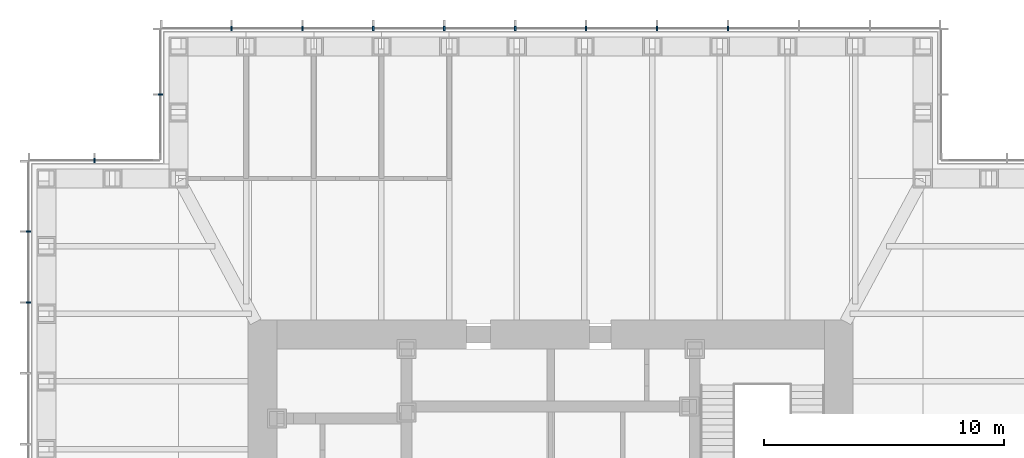
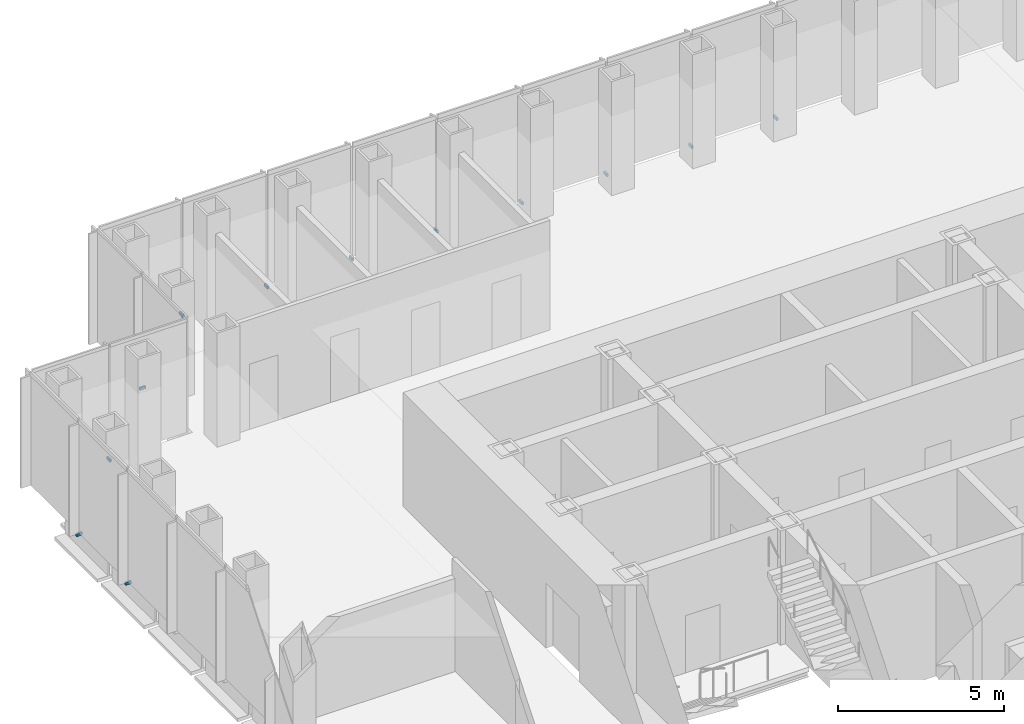
# One storey, part 14 of 16: 12 discrete accessories.
"""IFC4 building model written with IfcOpenShell, lengths in metres."""

from ifc_helpers import new_model, si_unit, direction, frame, origin, origin_2d, place, context, subcontext, project, spatial, rectangle, extrude, element, save


model = new_model("IFC4")

# Units and contexts
model_context = context("Model", 3, precision=1e-05, world=origin(), true_north=direction((0.0, 1.0)))
body_context = subcontext(model_context, "Body", "Model", "MODEL_VIEW")
ifc_project = project(units=[si_unit("LENGTHUNIT", "METRE"), si_unit("AREAUNIT", "SQUARE_METRE"), si_unit("VOLUMEUNIT", "CUBIC_METRE"), si_unit("PLANEANGLEUNIT", "RADIAN"), si_unit("MASSUNIT", "GRAM", prefix="KILO")], contexts=[model_context])

# Site, building, storey
site_placement = place(None, origin())
site = spatial("IfcSite", under=ifc_project, at=site_placement, CompositionType="ELEMENT")
building_placement = place(site_placement, origin())
building = spatial("IfcBuilding", under=site, at=building_placement, Name="Daluyong Arena Tower", CompositionType="ELEMENT")
storey_placement = place(building_placement, frame((0.0, 0.0, 231.699951171875)))
storey = spatial("IfcBuildingStorey", under=building, at=storey_placement, Name="L52", CompositionType="ELEMENT", Elevation=231.699951171875)

# Discrete accessories
for number, where, z_axis, x_axis, name in (
    (1, (63.386474609375, 101.75, -0.10009765625), (0.0, 0.0, 1.0), (-1.0, 0.0, 0.0), "curtain wall L52 N anchor bracket 4"),
    (2, (60.431884765625, 101.75, -0.10009765625), (0.0, 0.0, 1.0), (-1.0, 0.0, 0.0), "curtain wall L52 N anchor bracket 5"),
    (3, (57.477294921875, 101.75, -0.10009765625), (0.0, 0.0, 1.0), (-1.0, 0.0, 0.0), "curtain wall L52 N anchor bracket 6"),
    (4, (54.522705078125, 101.75, -0.10009765625), (0.0, 0.0, 1.0), (-1.0, 0.0, 0.0), "curtain wall L52 N anchor bracket 7"),
    (5, (51.568115234375, 101.75, -0.10009765625), (0.0, 0.0, 1.0), (-1.0, 0.0, 0.0), "curtain wall L52 N anchor bracket 8"),
    (6, (48.613525390625, 101.75, -0.10009765625), (0.0, 0.0, 1.0), (-1.0, 0.0, 0.0), "curtain wall L52 N anchor bracket 9"),
    (7, (45.6591796875, 101.75, -0.10009765625), (0.0, 0.0, 1.0), (-1.0, 0.0, 0.0), "curtain wall L52 N anchor bracket 10"),
    (8, (42.70458984375, 101.75, -0.10009765625), (0.0, 0.0, 1.0), (-1.0, 0.0, 0.0), "curtain wall L52 N anchor bracket 11"),
):
    element("IfcDiscreteAccessory", number, at=place(storey_placement, frame(where, z_axis=z_axis, x_axis=x_axis)), inside=storey, Name=name, PredefinedType="BRACKET", context=body_context, shape_type="SweptSolid", body=[
        extrude(rectangle(XDim=0.070068359375, YDim=0.199951171875, at=origin_2d()), origin(), (0.0, 0.0, 1.0), 0.10009765625),
    ])
for number, where, z_axis, x_axis, name in (
    (9, (39.75, 99.0, -0.10009765625), (0.0, 0.0, 1.0), (0.0, -1.0, 0.0), "curtain wall L52 NW-W anchor bracket 2"),
    (10, (37.0, 96.25, -0.10009765625), (0.0, 0.0, 1.0), (-1.0, 0.0, 0.0), "curtain wall L52 NW-N anchor bracket 2"),
):
    element("IfcDiscreteAccessory", number, at=place(storey_placement, frame(where, z_axis=z_axis, x_axis=x_axis)), inside=storey, Name=name, PredefinedType="BRACKET", context=body_context, shape_type="SweptSolid", body=[
        extrude(rectangle(XDim=0.06005859375, YDim=0.199951171875, at=origin_2d()), origin(), (0.0, 0.0, 1.0), 0.10009765625),
    ])
for number, where, z_axis, x_axis, name in (
    (11, (34.25, 93.29541015625, -0.10009765625), (0.0, 0.0, 1.0), (0.0, -1.0, 0.0), "curtain wall L52 W anchor bracket 2"),
    (12, (34.25, 90.3408203125, -0.10009765625), (0.0, 0.0, 1.0), (0.0, -1.0, 0.0), "curtain wall L52 W anchor bracket 3"),
):
    element("IfcDiscreteAccessory", number, at=place(storey_placement, frame(where, z_axis=z_axis, x_axis=x_axis)), inside=storey, Name=name, PredefinedType="BRACKET", context=body_context, shape_type="SweptSolid", body=[
        extrude(rectangle(XDim=0.070068359375, YDim=0.199951171875, at=origin_2d()), origin(), (0.0, 0.0, 1.0), 0.10009765625),
    ])

save(model, "model.ifc")
